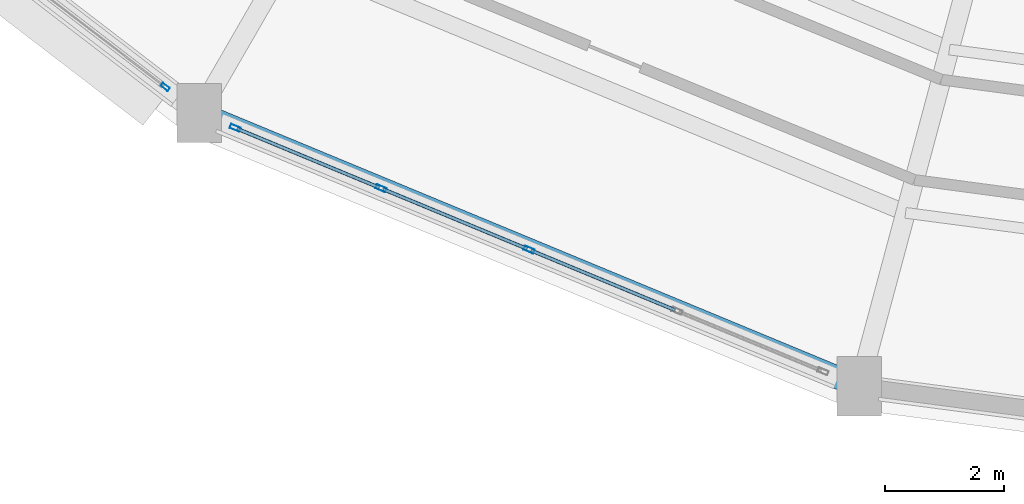
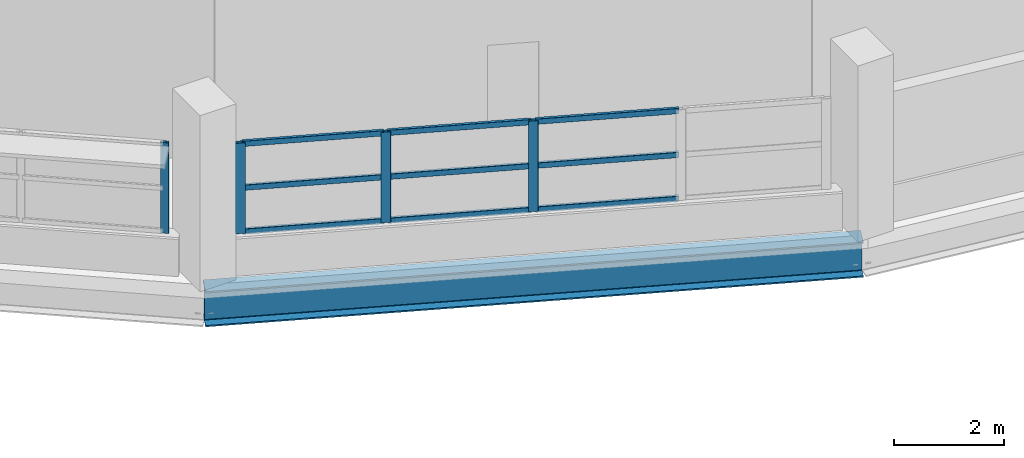
# One storey, part 8 of 88: 13 members, 1 beam, 2 elements without a shape of their own.
"""IFC4 building model written with IfcOpenShell, lengths in metres."""

from ifc_helpers import new_model, si_unit, direction, frame, origin, origin_2d, place, context, subcontext, project, spatial, hollow_rectangle, i_section, extrude, material, layer, layer_set, material_profile, profile_set, type_object, element, aggregate, save


model = new_model("IFC4")

# Units and contexts
model_context = context("Model", 3, precision=1e-05, world=origin(), true_north=direction((0.0, 1.0)))
body_context = subcontext(model_context, "Body", "Model", "MODEL_VIEW")
ifc_project = project(units=[si_unit("LENGTHUNIT", "METRE"), si_unit("AREAUNIT", "SQUARE_METRE"), si_unit("VOLUMEUNIT", "CUBIC_METRE"), si_unit("PLANEANGLEUNIT", "RADIAN"), si_unit("MASSUNIT", "GRAM", prefix="KILO")], contexts=[model_context])

# Site, building, storey
site_placement = place(None, origin())
site = spatial("IfcSite", under=ifc_project, at=site_placement, CompositionType="ELEMENT")
building_placement = place(site_placement, origin())
building = spatial("IfcBuilding", under=site, at=building_placement, Name="Vespera Passage Community Centre", CompositionType="ELEMENT")
storey_placement = place(building_placement, frame((0.0, 0.0, 16.5)))
storey = spatial("IfcBuildingStorey", under=building, at=storey_placement, Name="L04", CompositionType="ELEMENT", Elevation=16.5)

# Beam
ifc_material_1 = material(Name="Steel ASTM A992 Grade 50", Category="steel")
ifc_material_profile_1 = material_profile(ifc_material_1, i_section(OverallWidth=0.382080078125, OverallDepth=0.779296875, WebThickness=0.01806640625, FlangeThickness=0.030029296875, FilletRadius=0.0166015625, at=origin_2d()), Name="W30X191")
ifc_profile_set_1 = profile_set([ifc_material_profile_1], Name="Steel ASTM A992 Grade 50")
beam_type = type_object("IfcBeamType", Name="BM-SP-W30X191E", PredefinedType="SPANDREL", material=ifc_profile_set_1)
beam_placement = place(storey_placement, frame((54.949951171875, 25.576171875, -0.689697265625), z_axis=(0.923877379647, -0.382688629799, 0.0), x_axis=(0.382688629799, 0.923877379647, 0.0)))
element("IfcBeam", 1, at=beam_placement, inside=storey, type_object=beam_type, Name="V4 L04 Outer Spandrel 16", PredefinedType="SPANDREL", context=body_context, shape_type="SweptSolid", body=[
    extrude(i_section(OverallWidth=0.382080078125, OverallDepth=0.779296875, WebThickness=0.01806640625, FlangeThickness=0.030029296875, FilletRadius=0.0166015625, at=origin_2d()), origin(), (0.0, 0.0, 1.0), 12.034423828125),
])

# Curtain wall, member
ifc_material_2 = material(Name="Anodized aluminium 6063-T6", Category="aluminium")
ifc_layer_1 = layer(ifc_material_2, 0.159912109375)
ifc_layer_set_1 = layer_set([ifc_layer_1], Name="Anodized aluminium 6063-T6")
curtain_wall_type_1 = type_object("IfcCurtainWallType", Name="CW-53E", PredefinedType="NOTDEFINED", material=ifc_layer_set_1)
curtain_wall_1_placement = place(storey_placement, origin())
curtain_wall_1 = element("IfcCurtainWall", 2, at=curtain_wall_1_placement, inside=storey, type_object=curtain_wall_type_1, Name="V4 L04 Outer Ribbon Curtain Wall 15", PredefinedType="NOTDEFINED")
ifc_material_3 = material(Name="Anodized aluminium 6063-T6", Category="aluminium")
ifc_material_profile_2 = material_profile(ifc_material_3, hollow_rectangle(XDim=0.06494140625, YDim=0.14990234375, WallThickness=0.00390625, InnerFilletRadius=0.001953125, OuterFilletRadius=0.00390625, at=origin_2d()), Name="ALU150X65X4")
ifc_profile_set_2 = profile_set([ifc_material_profile_2], Name="Anodized aluminium 6063-T6")
member_type_1 = type_object("IfcMemberType", Name="MB-CWM-150E", PredefinedType="MULLION", material=ifc_profile_set_2)
member_1_placement = place(storey_placement, frame((54.378662109375, 26.0146484375, 0.820068359375), z_axis=(0.0, 0.0, 1.0), x_axis=(-0.608771824991, -0.793345363065, 0.0)))
member_1 = element("IfcMember", 3, at=member_1_placement, type_object=member_type_1, Name="CW-53E mullion 1", PredefinedType="MULLION", context=body_context, shape_type="SweptSolid", body=[
    extrude(hollow_rectangle(XDim=0.06494140625, YDim=0.14990234375, WallThickness=0.00390625, InnerFilletRadius=0.001953125, OuterFilletRadius=0.00390625, at=origin_2d()), origin(), (0.0, 0.0, 1.0), 2.005615234375),
])
aggregate(curtain_wall_1, [member_1])

# Curtain wall, members
ifc_material_4 = material(Name="Anodized aluminium 6063-T6", Category="aluminium")
ifc_layer_2 = layer(ifc_material_4, 0.159912109375)
ifc_layer_set_2 = layer_set([ifc_layer_2], Name="Anodized aluminium 6063-T6")
curtain_wall_type_2 = type_object("IfcCurtainWallType", Name="CW-55E", PredefinedType="NOTDEFINED", material=ifc_layer_set_2)
curtain_wall_2_placement = place(storey_placement, origin())
curtain_wall_2 = element("IfcCurtainWall", 4, at=curtain_wall_2_placement, inside=storey, type_object=curtain_wall_type_2, Name="V4 L04 Outer Ribbon Curtain Wall 16", PredefinedType="NOTDEFINED")
ifc_material_5 = material(Name="Anodized aluminium 6063-T6", Category="aluminium")
ifc_material_profile_3 = material_profile(ifc_material_5, hollow_rectangle(XDim=0.074951171875, YDim=0.179931640625, WallThickness=0.0048828125, InnerFilletRadius=0.00244140625, OuterFilletRadius=0.0048828125, at=origin_2d()), Name="ALU180X75X5")
ifc_profile_set_3 = profile_set([ifc_material_profile_3], Name="Anodized aluminium 6063-T6")
member_type_2 = type_object("IfcMemberType", Name="MB-CWM-180E", PredefinedType="MULLION", material=ifc_profile_set_3)
member_2_placement = place(storey_placement, frame((60.50927734375, 23.2734375, 0.820068359375), z_axis=(0.0, 0.0, 1.0), x_axis=(-0.382682936255, -0.923879738007, 0.0)))
member_2 = element("IfcMember", 5, at=member_2_placement, type_object=member_type_2, Name="CW-55E mullion 3", PredefinedType="MULLION", context=body_context, shape_type="SweptSolid", body=[
    extrude(hollow_rectangle(XDim=0.074951171875, YDim=0.179931640625, WallThickness=0.0048828125, InnerFilletRadius=0.00244140625, OuterFilletRadius=0.0048828125, at=origin_2d()), origin(), (0.0, 0.0, 1.0), 2.005615234375),
])
member_3_placement = place(storey_placement, frame((58.016357421875, 24.30615234375, 0.820068359375), z_axis=(0.0, 0.0, 1.0), x_axis=(-0.382682936255, -0.923879738007, 0.0)))
member_3 = element("IfcMember", 6, at=member_3_placement, type_object=member_type_2, Name="CW-55E mullion 4", PredefinedType="MULLION", context=body_context, shape_type="SweptSolid", body=[
    extrude(hollow_rectangle(XDim=0.074951171875, YDim=0.179931640625, WallThickness=0.0048828125, InnerFilletRadius=0.00244140625, OuterFilletRadius=0.0048828125, at=origin_2d()), origin(), (0.0, 0.0, 1.0), 2.005615234375),
])
member_4_placement = place(storey_placement, frame((55.558349609375, 25.32421875, 0.820068359375), z_axis=(0.0, 0.0, 1.0), x_axis=(-0.382682936255, -0.923879738007, 0.0)))
member_4 = element("IfcMember", 7, at=member_4_placement, type_object=member_type_2, Name="CW-55E mullion 5", PredefinedType="MULLION", context=body_context, shape_type="SweptSolid", body=[
    extrude(hollow_rectangle(XDim=0.074951171875, YDim=0.179931640625, WallThickness=0.0048828125, InnerFilletRadius=0.00244140625, OuterFilletRadius=0.0048828125, at=origin_2d()), origin(), (0.0, 0.0, 1.0), 2.005615234375),
])
ifc_material_6 = material(Name="Anodized aluminium 6063-T6", Category="aluminium")
ifc_material_profile_4 = material_profile(ifc_material_6, hollow_rectangle(XDim=0.06005859375, YDim=0.1201171875, WallThickness=0.00390625, InnerFilletRadius=0.001953125, OuterFilletRadius=0.00390625, at=origin_2d()), Name="ALU120X60X4")
ifc_profile_set_4 = profile_set([ifc_material_profile_4], Name="Anodized aluminium 6063-T6")
member_type_3 = type_object("IfcMemberType", Name="MB-CWT-120E", PredefinedType="USERDEFINED", material=ifc_profile_set_4)
member_5_placement = place(storey_placement, frame((62.96728515625, 22.25537109375, 0.85009765625), z_axis=(-0.92389545334, 0.382644993822, 0.0), x_axis=(-0.382644993822, -0.92389545334, 0.0)))
member_5 = element("IfcMember", 8, at=member_5_placement, type_object=member_type_3, Name="CW-55E transom 2.1", ObjectType="TRANSOM", PredefinedType="USERDEFINED", context=body_context, shape_type="SweptSolid", body=[
    extrude(hollow_rectangle(XDim=0.06005859375, YDim=0.1201171875, WallThickness=0.00390625, InnerFilletRadius=0.001953125, OuterFilletRadius=0.00390625, at=origin_2d()), origin(), (0.0, 0.0, 1.0), 2.623046875),
])
member_6_placement = place(storey_placement, frame((62.96728515625, 22.25537109375, 1.82275390625), z_axis=(-0.92389545334, 0.382644993822, 0.0), x_axis=(-0.382644993822, -0.92389545334, 0.0)))
member_6 = element("IfcMember", 9, at=member_6_placement, type_object=member_type_3, Name="CW-55E transom 2.2", ObjectType="TRANSOM", PredefinedType="USERDEFINED", context=body_context, shape_type="SweptSolid", body=[
    extrude(hollow_rectangle(XDim=0.06005859375, YDim=0.1201171875, WallThickness=0.00390625, InnerFilletRadius=0.001953125, OuterFilletRadius=0.00390625, at=origin_2d()), origin(), (0.0, 0.0, 1.0), 2.623046875),
])
member_7_placement = place(storey_placement, frame((62.96728515625, 22.25537109375, 2.795654296875), z_axis=(-0.92389545334, 0.382644993822, 0.0), x_axis=(-0.382644993822, -0.92389545334, 0.0)))
member_7 = element("IfcMember", 10, at=member_7_placement, type_object=member_type_3, Name="CW-55E transom 2.3", ObjectType="TRANSOM", PredefinedType="USERDEFINED", context=body_context, shape_type="SweptSolid", body=[
    extrude(hollow_rectangle(XDim=0.06005859375, YDim=0.1201171875, WallThickness=0.00390625, InnerFilletRadius=0.001953125, OuterFilletRadius=0.00390625, at=origin_2d()), origin(), (0.0, 0.0, 1.0), 2.623046875),
])
member_8_placement = place(storey_placement, frame((60.474609375, 23.287841796875, 0.85009765625), z_axis=(-0.92387617736, 0.382691532316, 0.0), x_axis=(-0.382691532316, -0.92387617736, 0.0)))
member_8 = element("IfcMember", 11, at=member_8_placement, type_object=member_type_3, Name="CW-55E transom 3.1", ObjectType="TRANSOM", PredefinedType="USERDEFINED", context=body_context, shape_type="SweptSolid", body=[
    extrude(hollow_rectangle(XDim=0.06005859375, YDim=0.1201171875, WallThickness=0.00390625, InnerFilletRadius=0.001953125, OuterFilletRadius=0.00390625, at=origin_2d()), origin(), (0.0, 0.0, 1.0), 2.623291015625),
])
member_9_placement = place(storey_placement, frame((60.474609375, 23.287841796875, 1.82275390625), z_axis=(-0.92387617736, 0.382691532316, 0.0), x_axis=(-0.382691532316, -0.92387617736, 0.0)))
member_9 = element("IfcMember", 12, at=member_9_placement, type_object=member_type_3, Name="CW-55E transom 3.2", ObjectType="TRANSOM", PredefinedType="USERDEFINED", context=body_context, shape_type="SweptSolid", body=[
    extrude(hollow_rectangle(XDim=0.06005859375, YDim=0.1201171875, WallThickness=0.00390625, InnerFilletRadius=0.001953125, OuterFilletRadius=0.00390625, at=origin_2d()), origin(), (0.0, 0.0, 1.0), 2.623291015625),
])
member_10_placement = place(storey_placement, frame((60.474609375, 23.287841796875, 2.795654296875), z_axis=(-0.92387617736, 0.382691532316, 0.0), x_axis=(-0.382691532316, -0.92387617736, 0.0)))
member_10 = element("IfcMember", 13, at=member_10_placement, type_object=member_type_3, Name="CW-55E transom 3.3", ObjectType="TRANSOM", PredefinedType="USERDEFINED", context=body_context, shape_type="SweptSolid", body=[
    extrude(hollow_rectangle(XDim=0.06005859375, YDim=0.1201171875, WallThickness=0.00390625, InnerFilletRadius=0.001953125, OuterFilletRadius=0.00390625, at=origin_2d()), origin(), (0.0, 0.0, 1.0), 2.623291015625),
])
member_11_placement = place(storey_placement, frame((57.981689453125, 24.3203125, 0.85009765625), z_axis=(-0.923882193286, 0.382677008624, 0.0), x_axis=(-0.382677008624, -0.923882193286, 0.0)))
member_11 = element("IfcMember", 14, at=member_11_placement, type_object=member_type_3, Name="CW-55E transom 4.1", ObjectType="TRANSOM", PredefinedType="USERDEFINED", context=body_context, shape_type="SweptSolid", body=[
    extrude(hollow_rectangle(XDim=0.06005859375, YDim=0.1201171875, WallThickness=0.00390625, InnerFilletRadius=0.001953125, OuterFilletRadius=0.00390625, at=origin_2d()), origin(), (0.0, 0.0, 1.0), 2.585693359375),
])
member_12_placement = place(storey_placement, frame((57.981689453125, 24.3203125, 1.82275390625), z_axis=(-0.923882193286, 0.382677008624, 0.0), x_axis=(-0.382677008624, -0.923882193286, 0.0)))
member_12 = element("IfcMember", 15, at=member_12_placement, type_object=member_type_3, Name="CW-55E transom 4.2", ObjectType="TRANSOM", PredefinedType="USERDEFINED", context=body_context, shape_type="SweptSolid", body=[
    extrude(hollow_rectangle(XDim=0.06005859375, YDim=0.1201171875, WallThickness=0.00390625, InnerFilletRadius=0.001953125, OuterFilletRadius=0.00390625, at=origin_2d()), origin(), (0.0, 0.0, 1.0), 2.585693359375),
])
member_13_placement = place(storey_placement, frame((57.981689453125, 24.3203125, 2.795654296875), z_axis=(-0.923882193286, 0.382677008624, 0.0), x_axis=(-0.382677008624, -0.923882193286, 0.0)))
member_13 = element("IfcMember", 16, at=member_13_placement, type_object=member_type_3, Name="CW-55E transom 4.3", ObjectType="TRANSOM", PredefinedType="USERDEFINED", context=body_context, shape_type="SweptSolid", body=[
    extrude(hollow_rectangle(XDim=0.06005859375, YDim=0.1201171875, WallThickness=0.00390625, InnerFilletRadius=0.001953125, OuterFilletRadius=0.00390625, at=origin_2d()), origin(), (0.0, 0.0, 1.0), 2.585693359375),
])
aggregate(curtain_wall_2, [member_2, member_3, member_4, member_5, member_6, member_7, member_8, member_9, member_10, member_11, member_12, member_13])

save(model, "model.ifc")
